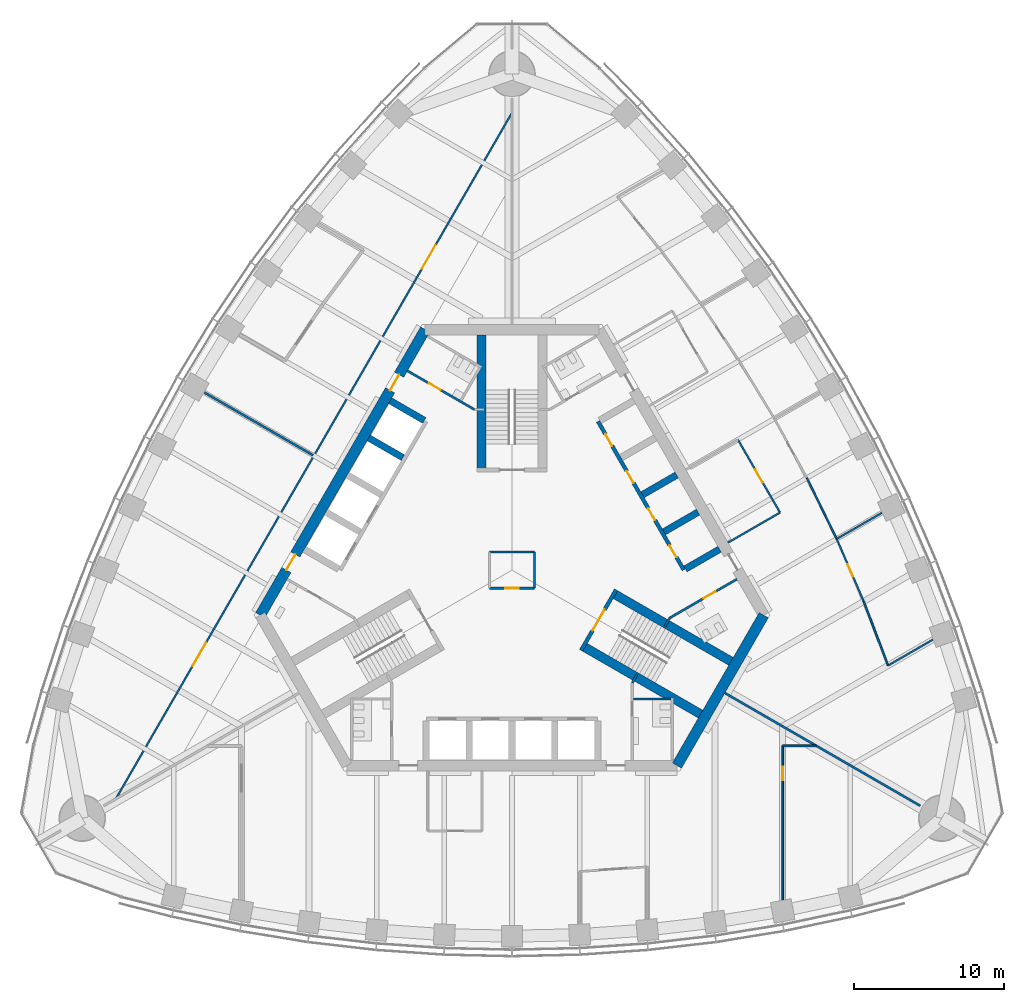
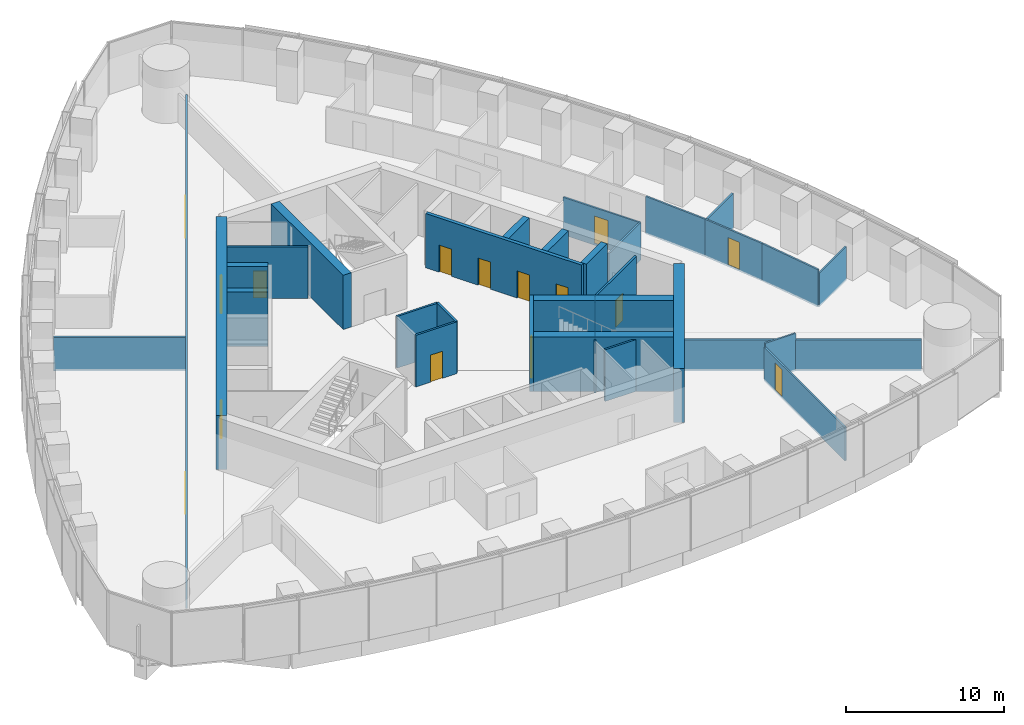
# One storey, part 12 of 19: 32 walls, 15 doors, 15 openings.
"""IFC4 building model written with IfcOpenShell, lengths in metres."""

from ifc_helpers import new_model, si_unit, direction, frame, frame_2d, origin, place, context, subcontext, project, spatial, rectangle, extrude, material, layer, layer_set, type_object, element, fill, save


model = new_model("IFC4")

# Units and contexts
model_context = context("Model", 3, precision=1e-05, world=origin(), true_north=direction((0.0, 1.0)))
body_context = subcontext(model_context, "Body", "Model", "MODEL_VIEW")
ifc_project = project(units=[si_unit("LENGTHUNIT", "METRE"), si_unit("AREAUNIT", "SQUARE_METRE"), si_unit("VOLUMEUNIT", "CUBIC_METRE"), si_unit("PLANEANGLEUNIT", "RADIAN"), si_unit("MASSUNIT", "GRAM", prefix="KILO")], contexts=[model_context])

# Site, building, storey
site_placement = place(None, origin())
site = spatial("IfcSite", under=ifc_project, at=site_placement, CompositionType="ELEMENT")
building_placement = place(site_placement, origin())
building = spatial("IfcBuilding", under=site, at=building_placement, Name="Trefoil Bronze Tower", CompositionType="ELEMENT")
storey_placement = place(building_placement, frame((0.0, 0.0, 256.89990234375)))
storey = spatial("IfcBuildingStorey", under=building, at=storey_placement, Name="L59", CompositionType="ELEMENT", Elevation=256.89990234375)

# Wall
ifc_material_1 = material(Name="Concrete B80", Category="concrete")
ifc_layer_1 = layer(ifc_material_1, 0.699951171875)
ifc_layer_set_1 = layer_set([ifc_layer_1], Name="Core wall 700")
wall_type_1 = type_object("IfcWallType", Name="Core wall 700", PredefinedType="SHEAR", material=ifc_layer_set_1)
wall_1_placement = place(storey_placement, frame((10.9697265625, -13.0, 0.0), z_axis=(0.0, 0.0, 1.0), x_axis=(0.499995765644, 0.866027848477, 0.0)))
element("IfcWall", 1, at=wall_1_placement, inside=storey, type_object=wall_type_1, Name="Core short wall 1 L59", PredefinedType="SHEAR", context=body_context, shape_type="SweptSolid", body=[
    extrude(rectangle(XDim=11.546875, YDim=0.699951171875, at=frame_2d((5.7734375, 0.0))), origin(), (0.0, 0.0, 1.0), 4.2001953125),
])

# Wall, openings, doors
wall_2_placement = place(storey_placement, frame((-5.7734375, 16.0, 0.0), z_axis=(0.0, 0.0, 1.0), x_axis=(-0.500002442456, -0.866023993627, 0.0)))
wall_2 = element("IfcWall", 2, at=wall_2_placement, inside=storey, type_object=wall_type_1, Name="Core long wall 3 L59", PredefinedType="SHEAR", context=body_context, shape_type="SweptSolid", body=[
    extrude(rectangle(XDim=21.939453125, YDim=0.699951171875, at=frame_2d((10.9697265625, 0.0))), origin(), (0.0, 0.0, 1.0), 4.2001953125),
])
opening_1_placement = place(wall_2_placement, frame((17.269775390625, 0.0, 0.0)))
opening_1 = element("IfcOpeningElement", 3, at=opening_1_placement, cuts=wall_2, Name="Opening D2", PredefinedType="OPENING", context=body_context, shape_type="SweptSolid", body=[
    extrude(rectangle(XDim=1.199951171875, YDim=2.10009765625, at=frame_2d((0.60009765625, 1.050048828125))), frame((0.0, 0.35986328125, 0.0), z_axis=(0.0, -1.0, 0.0), x_axis=(1.0, 0.0, 0.0)), (0.0, 0.0, 1.0), 0.719970703125),
])
opening_2_placement = place(wall_2_placement, frame((3.4697265625, 0.0, 0.0)))
opening_2 = element("IfcOpeningElement", 4, at=opening_2_placement, cuts=wall_2, Name="Opening D2", PredefinedType="OPENING", context=body_context, shape_type="SweptSolid", body=[
    extrude(rectangle(XDim=1.199951171875, YDim=2.10009765625, at=frame_2d((0.60009765625, 1.050048828125))), frame((0.0, 0.35986328125, 0.0), z_axis=(0.0, -1.0, 0.0), x_axis=(1.0, 0.0, 0.0)), (0.0, 0.0, 1.0), 0.719970703125),
])
ifc_material_2 = material(Name="Steel door", Category="steel")
door_type_1 = type_object("IfcDoorType", Name="Lobby door 1200", OperationType="SINGLE_SWING_RIGHT", PredefinedType="DOOR", material=ifc_material_2)
door_1_placement = place(opening_1_placement, origin())
door_1 = element("IfcDoor", 5, at=door_1_placement, inside=storey, type_object=door_type_1, Name="Lobby door F3+ L59", OperationType="SINGLE_SWING_RIGHT", OverallHeight=2.10009765625, OverallWidth=1.199951171875, PredefinedType="DOOR", context=body_context, shape_type="SweptSolid", body=[
    extrude(rectangle(XDim=1.199951171875, YDim=2.10009765625, at=frame_2d((0.60009765625, 1.050048828125))), frame((0.0, 0.02490234375, 0.0), z_axis=(0.0, -1.0, 0.0), x_axis=(1.0, 0.0, 0.0)), (0.0, 0.0, 1.0), 0.050048828125),
])
fill(opening_1, door_1)
door_2_placement = place(opening_2_placement, origin())
door_2 = element("IfcDoor", 6, at=door_2_placement, inside=storey, type_object=door_type_1, Name="Lobby door F3- L59", OperationType="SINGLE_SWING_LEFT", OverallHeight=2.10009765625, OverallWidth=1.199951171875, PredefinedType="DOOR", context=body_context, shape_type="SweptSolid", body=[
    extrude(rectangle(XDim=1.199951171875, YDim=2.10009765625, at=frame_2d((0.60009765625, 1.050048828125))), frame((0.0, 0.02490234375, 0.0), z_axis=(0.0, -1.0, 0.0), x_axis=(1.0, 0.0, 0.0)), (0.0, 0.0, 1.0), 0.050048828125),
])
fill(opening_2, door_2)

# Wall
ifc_material_3 = material(Name="Glazed partition", Category="glass")
ifc_layer_2 = layer(ifc_material_3, 0.1201171875)
ifc_layer_set_2 = layer_set([ifc_layer_2], Name="Glazed partition 120")
wall_type_2 = type_object("IfcWallType", Name="Glazed partition 120", PredefinedType="PARTITIONING", material=ifc_layer_set_2)
wall_3_placement = place(storey_placement, frame((18.0, -11.68994140625, 0.0), z_axis=(0.0, 0.0, 1.0), x_axis=(1.0, 0.0, 0.0)))
element("IfcWall", 7, at=wall_3_placement, inside=storey, type_object=wall_type_2, Name="Partition F1 L59", PredefinedType="PARTITIONING", context=body_context, shape_type="SweptSolid", body=[
    extrude(rectangle(XDim=2.230224609375, YDim=0.1201171875, at=frame_2d((1.115234375, 0.0))), origin(), (0.0, 0.0, 1.0), 2.900146484375),
])

# Wall, opening, door
wall_4_placement = place(storey_placement, frame((18.0, -11.68994140625, 0.0), z_axis=(0.0, 0.0, 1.0), x_axis=(0.0, -1.0, 0.0)))
wall_4 = element("IfcWall", 8, at=wall_4_placement, inside=storey, type_object=wall_type_2, Name="Partition F1 L59", PredefinedType="PARTITIONING", context=body_context, shape_type="SweptSolid", body=[
    extrude(rectangle(XDim=10.236572265625, YDim=0.1201171875, at=frame_2d((5.1181640625, 0.0))), origin(), (0.0, 0.0, 1.0), 2.60009765625),
])
opening_3_placement = place(wall_4_placement, frame((1.39990234375, 0.0, 0.14990234375)))
opening_3 = element("IfcOpeningElement", 9, at=opening_3_placement, cuts=wall_4, Name="Opening D8", PredefinedType="OPENING", context=body_context, shape_type="SweptSolid", body=[
    extrude(rectangle(XDim=0.89990234375, YDim=2.10009765625, at=frame_2d((0.449951171875, 1.050048828125))), frame((0.0, 0.070068359375, 0.0), z_axis=(0.0, -1.0, 0.0), x_axis=(1.0, 0.0, 0.0)), (0.0, 0.0, 1.0), 0.14013671875),
])
ifc_material_4 = material(Name="Timber door", Category="wood")
door_type_2 = type_object("IfcDoorType", Name="Office door 900", OperationType="SINGLE_SWING_LEFT", PredefinedType="DOOR", material=ifc_material_4)
door_3_placement = place(opening_3_placement, origin())
door_3 = element("IfcDoor", 10, at=door_3_placement, inside=storey, type_object=door_type_2, Name="Chairman's office door F1 L59", OperationType="SINGLE_SWING_LEFT", OverallHeight=2.10009765625, OverallWidth=0.89990234375, PredefinedType="DOOR", context=body_context, shape_type="SweptSolid", body=[
    extrude(rectangle(XDim=0.89990234375, YDim=2.10009765625, at=frame_2d((0.449951171875, 1.050048828125))), frame((0.0, 0.02490234375, 0.0), z_axis=(0.0, -1.0, 0.0), x_axis=(1.0, 0.0, 0.0)), (0.0, 0.0, 1.0), 0.050048828125),
])
fill(opening_3, door_3)

wall_5_placement = place(storey_placement, frame((17.825439453125, 3.8251953125, 0.0), z_axis=(0.0, 0.0, 1.0), x_axis=(-0.499965239061, 0.866045472092, 0.0)))
wall_5 = element("IfcWall", 11, at=wall_5_placement, inside=storey, type_object=wall_type_2, Name="Partition F2 L59", PredefinedType="PARTITIONING", context=body_context, shape_type="SweptSolid", body=[
    extrude(rectangle(XDim=5.60009765625, YDim=0.1201171875, at=frame_2d((2.800048828125, 0.0))), origin(), (0.0, 0.0, 1.0), 2.900146484375),
])
opening_4_placement = place(wall_5_placement, frame((2.300048828125, 0.0, 0.14990234375)))
opening_4 = element("IfcOpeningElement", 12, at=opening_4_placement, cuts=wall_5, Name="Opening D9", PredefinedType="OPENING", context=body_context, shape_type="SweptSolid", body=[
    extrude(rectangle(XDim=1.0, YDim=2.10009765625, at=frame_2d((0.5, 1.050048828125))), frame((0.0, 0.070068359375, 0.0), z_axis=(0.0, -1.0, 0.0), x_axis=(1.0, 0.0, 0.0)), (0.0, 0.0, 1.0), 0.14013671875),
])
ifc_material_5 = material(Name="Glazed timber door", Category="wood")
door_type_3 = type_object("IfcDoorType", Name="Meeting room door 1000", OperationType="SINGLE_SWING_LEFT", PredefinedType="DOOR", material=ifc_material_5)
door_4_placement = place(opening_4_placement, origin())
door_4 = element("IfcDoor", 13, at=door_4_placement, inside=storey, type_object=door_type_3, Name="Meeting room door F2 L59", OperationType="SINGLE_SWING_RIGHT", OverallHeight=2.10009765625, OverallWidth=1.0, PredefinedType="DOOR", context=body_context, shape_type="SweptSolid", body=[
    extrude(rectangle(XDim=1.0, YDim=2.10009765625, at=frame_2d((0.5, 1.050048828125))), frame((0.0, 0.02490234375, 0.0), z_axis=(0.0, -1.0, 0.0), x_axis=(1.0, 0.0, 0.0)), (0.0, 0.0, 1.0), 0.050048828125),
])
fill(opening_4, door_4)

# Wall
wall_6_placement = place(storey_placement, frame((14.361328125, 1.8251953125, 0.0), z_axis=(0.0, 0.0, 1.0), x_axis=(0.866026010844, 0.49999894854, 0.0)))
element("IfcWall", 14, at=wall_6_placement, inside=storey, type_object=wall_type_2, Name="Partition F2 L59", PredefinedType="PARTITIONING", context=body_context, shape_type="SweptSolid", body=[
    extrude(rectangle(XDim=4.0, YDim=0.1201171875, at=frame_2d((2.0, 0.0))), origin(), (0.0, 0.0, 1.0), 2.900146484375),
])

# Wall, opening, door
wall_7_placement = place(storey_placement, frame((23.3916015625, -2.083251953125, 0.0), z_axis=(0.0, 0.0, 1.0), x_axis=(-0.397208101111, 0.917728567939, 0.0)))
wall_7 = element("IfcWall", 15, at=wall_7_placement, inside=storey, type_object=wall_type_2, Name="Partition F2 L59", PredefinedType="PARTITIONING", context=body_context, shape_type="SweptSolid", body=[
    extrude(rectangle(XDim=4.530029296875, YDim=0.1201171875, at=frame_2d((2.26513671875, 0.0))), origin(), (0.0, 0.0, 1.0), 2.900146484375),
])
opening_5_placement = place(wall_7_placement, frame((1.800048828125, 0.0, 0.14990234375)))
opening_5 = element("IfcOpeningElement", 16, at=opening_5_placement, cuts=wall_7, Name="Opening D8", PredefinedType="OPENING", context=body_context, shape_type="SweptSolid", body=[
    extrude(rectangle(XDim=0.89990234375, YDim=2.10009765625, at=frame_2d((0.449951171875, 1.050048828125))), frame((0.0, 0.070068359375, 0.0), z_axis=(0.0, -1.0, 0.0), x_axis=(1.0, 0.0, 0.0)), (0.0, 0.0, 1.0), 0.14013671875),
])
door_5_placement = place(opening_5_placement, frame((0.89990234375, 0.0, 0.0), z_axis=(0.0, 0.0, 1.0), x_axis=(-1.0, 0.0, 0.0)))
door_5 = element("IfcDoor", 17, at=door_5_placement, inside=storey, type_object=door_type_2, Name="Executive office door F2 L59", OperationType="SINGLE_SWING_RIGHT", OverallHeight=2.10009765625, OverallWidth=0.89990234375, PredefinedType="DOOR", context=body_context, shape_type="SweptSolid", body=[
    extrude(rectangle(XDim=0.89990234375, YDim=2.10009765625, at=frame_2d((0.449951171875, 1.050048828125))), frame((0.0, 0.02490234375, 0.0), z_axis=(0.0, -1.0, 0.0), x_axis=(1.0, 0.0, 0.0)), (0.0, 0.0, 1.0), 0.050048828125),
])
fill(opening_5, door_5)

# Walls
wall_8_placement = place(storey_placement, frame((25.006591796875, -6.346923828125, 0.0), z_axis=(0.0, 0.0, 1.0), x_axis=(-0.354219967303, 0.935162132875, 0.0)))
element("IfcWall", 18, at=wall_8_placement, inside=storey, type_object=wall_type_2, Name="Partition F2 L59", PredefinedType="PARTITIONING", context=body_context, shape_type="SweptSolid", body=[
    extrude(rectangle(XDim=4.559326171875, YDim=0.1201171875, at=frame_2d((2.27978515625, 0.0))), origin(), (0.0, 0.0, 1.0), 2.900146484375),
])
wall_9_placement = place(storey_placement, frame((21.59228515625, 2.073974609375, 0.0), z_axis=(0.0, 0.0, 1.0), x_axis=(-0.439163535873, 0.898407139753, 0.0)))
element("IfcWall", 19, at=wall_9_placement, inside=storey, type_object=wall_type_2, Name="Partition F2 L59", PredefinedType="PARTITIONING", context=body_context, shape_type="SweptSolid", body=[
    extrude(rectangle(XDim=4.5107421875, YDim=0.1201171875, at=frame_2d((2.25537109375, 0.0))), origin(), (0.0, 0.0, 1.0), 2.900146484375),
])
wall_10_placement = place(storey_placement, frame((25.006591796875, -6.346923828125, 0.0), z_axis=(0.0, 0.0, 1.0), x_axis=(0.866053365281, 0.49995156614, 0.0)))
element("IfcWall", 20, at=wall_10_placement, inside=storey, type_object=wall_type_2, Name="Partition F2 L59", PredefinedType="PARTITIONING", context=body_context, shape_type="SweptSolid", body=[
    extrude(rectangle(XDim=3.443603515625, YDim=0.1201171875, at=frame_2d((1.7216796875, 0.0))), origin(), (0.0, 0.0, 1.0), 2.60009765625),
])
wall_11_placement = place(storey_placement, frame((21.59228515625, 2.073974609375, 0.0), z_axis=(0.0, 0.0, 1.0), x_axis=(0.866035335986, 0.499982796528, 0.0)))
element("IfcWall", 21, at=wall_11_placement, inside=storey, type_object=wall_type_2, Name="Partition F2 L59", PredefinedType="PARTITIONING", context=body_context, shape_type="SweptSolid", body=[
    extrude(rectangle(XDim=3.46337890625, YDim=0.1201171875, at=frame_2d((1.731689453125, 0.0))), origin(), (0.0, 0.0, 1.0), 2.800048828125),
])

# Wall, openings, doors
wall_12_placement = place(storey_placement, frame((-0.016357421875, 30.3916015625, 0.0), z_axis=(0.0, 0.0, 1.0), x_axis=(-0.500000626146, -0.866025042278, 0.0)))
wall_12 = element("IfcWall", 22, at=wall_12_placement, inside=storey, type_object=wall_type_2, Name="Partition F3 L59", PredefinedType="PARTITIONING", context=body_context, shape_type="SweptSolid", body=[
    extrude(rectangle(XDim=52.62353515625, YDim=0.1201171875, at=frame_2d((26.311767578125, 0.0))), origin(), (0.0, 0.0, 1.0), 2.900146484375),
])
opening_6_placement = place(wall_12_placement, frame((10.14990234375, 0.0, 0.14990234375)))
opening_6 = element("IfcOpeningElement", 23, at=opening_6_placement, cuts=wall_12, Name="Opening D10", PredefinedType="OPENING", context=body_context, shape_type="SweptSolid", body=[
    extrude(rectangle(XDim=1.800048828125, YDim=2.10009765625, at=frame_2d((0.89990234375, 1.050048828125))), frame((0.0, 0.070068359375, 0.0), z_axis=(0.0, -1.0, 0.0), x_axis=(1.0, 0.0, 0.0)), (0.0, 0.0, 1.0), 0.14013671875),
])
opening_7_placement = place(wall_12_placement, frame((40.64990234375, 0.0, 0.14990234375)))
opening_7 = element("IfcOpeningElement", 24, at=opening_7_placement, cuts=wall_12, Name="Opening D10", PredefinedType="OPENING", context=body_context, shape_type="SweptSolid", body=[
    extrude(rectangle(XDim=1.800048828125, YDim=2.10009765625, at=frame_2d((0.89990234375, 1.050048828125))), frame((0.0, 0.070068359375, 0.0), z_axis=(0.0, -1.0, 0.0), x_axis=(1.0, 0.0, 0.0)), (0.0, 0.0, 1.0), 0.14013671875),
])
ifc_material_6 = material(Name="Timber door", Category="wood")
door_type_4 = type_object("IfcDoorType", Name="Double door 1800", OperationType="DOUBLE_DOOR_SINGLE_SWING", PredefinedType="DOOR", material=ifc_material_6)
door_6_placement = place(opening_6_placement, frame((1.800048828125, 0.0, 0.0), z_axis=(0.0, 0.0, 1.0), x_axis=(-1.0, 0.0, 0.0)))
door_6 = element("IfcDoor", 25, at=door_6_placement, inside=storey, type_object=door_type_4, Name="Corridor door F3 L59", OperationType="DOUBLE_DOOR_SINGLE_SWING", OverallHeight=2.10009765625, OverallWidth=1.800048828125, PredefinedType="DOOR", context=body_context, shape_type="SweptSolid", body=[
    extrude(rectangle(XDim=1.800048828125, YDim=2.10009765625, at=frame_2d((0.89990234375, 1.050048828125))), frame((0.0, 0.02490234375, 0.0), z_axis=(0.0, -1.0, 0.0), x_axis=(1.0, 0.0, 0.0)), (0.0, 0.0, 1.0), 0.050048828125),
])
fill(opening_6, door_6)
door_7_placement = place(opening_7_placement, frame((1.800048828125, 0.0, 0.0), z_axis=(0.0, 0.0, 1.0), x_axis=(-1.0, 0.0, 0.0)))
door_7 = element("IfcDoor", 26, at=door_7_placement, inside=storey, type_object=door_type_4, Name="Corridor door F3 L59", OperationType="DOUBLE_DOOR_SINGLE_SWING", OverallHeight=2.10009765625, OverallWidth=1.800048828125, PredefinedType="DOOR", context=body_context, shape_type="SweptSolid", body=[
    extrude(rectangle(XDim=1.800048828125, YDim=2.10009765625, at=frame_2d((0.89990234375, 1.050048828125))), frame((0.0, 0.02490234375, 0.0), z_axis=(0.0, -1.0, 0.0), x_axis=(1.0, 0.0, 0.0)), (0.0, 0.0, 1.0), 0.050048828125),
])
fill(opening_7, door_7)

# Walls
ifc_material_7 = material(Name="Concrete B80", Category="concrete")
ifc_layer_3 = layer(ifc_material_7, 0.449951171875)
ifc_layer_set_3 = layer_set([ifc_layer_3], Name="Outrigger shaft wall 450")
wall_type_3 = type_object("IfcWallType", Name="Outrigger shaft wall 450", PredefinedType="SHEAR", material=ifc_layer_set_3)
for number, where, z_axis, x_axis, name in (
    (27, (11.531982421875, 0.076171875, 0.0), (0.0, 0.0, 1.0), (0.866013657776, 0.500020344131, 0.0), "Lift shaft side wall B0 L59"),
    (28, (10.10693359375, 2.54443359375, 0.0), (0.0, 0.0, 1.0), (0.866013657776, 0.500020344131, 0.0), "Lift shaft side wall B1 L59"),
    (29, (8.681884765625, 5.012451171875, 0.0), (0.0, 0.0, 1.0), (0.866036909293, 0.499980071345, 0.0), "Lift shaft side wall B2 L59"),
    (30, (-5.831787109375, 9.94873046875, 0.0), (0.0, 0.0, 1.0), (-0.866036909293, 0.499980071345, 0.0), "Lift shaft side wall C0 L59"),
    (31, (-7.2568359375, 7.480712890625, 0.0), (0.0, 0.0, 1.0), (-0.866036909293, 0.499980071345, 0.0), "Lift shaft side wall C1 L59"),
):
    element("IfcWall", number, at=place(storey_placement, frame(where, z_axis=z_axis, x_axis=x_axis)), inside=storey, type_object=wall_type_3, Name=name, PredefinedType="SHEAR", context=body_context, shape_type="SweptSolid", body=[
        extrude(rectangle(XDim=2.625, YDim=0.449951171875, at=frame_2d((1.3125, 0.0))), origin(), (0.0, 0.0, 1.0), 4.2001953125),
    ])

# Wall, opening, door
ifc_material_8 = material(Name="Gypsum board on steel studs", Category="steel")
ifc_layer_4 = layer(ifc_material_8, 0.14990234375)
ifc_layer_set_4 = layer_set([ifc_layer_4], Name="Partition 150")
wall_type_4 = type_object("IfcWallType", Name="Partition 150", PredefinedType="PARTITIONING", material=ifc_layer_set_4)
wall_13_placement = place(storey_placement, frame((10.4951171875, -3.17822265625, 0.0), z_axis=(0.0, 0.0, 1.0), x_axis=(0.866037967349, 0.499978238636, 0.0)))
wall_13 = element("IfcWall", 32, at=wall_13_placement, inside=storey, type_object=wall_type_4, Name="Passage wall F2- L59", PredefinedType="PARTITIONING", context=body_context, shape_type="SweptSolid", body=[
    extrude(rectangle(XDim=5.150146484375, YDim=0.14990234375, at=frame_2d((2.5751953125, 0.0))), origin(), (0.0, 0.0, 1.0), 4.0),
])
opening_8_placement = place(wall_13_placement, frame((2.60009765625, 0.0, 0.0)))
opening_8 = element("IfcOpeningElement", 33, at=opening_8_placement, cuts=wall_13, Name="Opening D3", PredefinedType="OPENING", context=body_context, shape_type="SweptSolid", body=[
    extrude(rectangle(XDim=0.89990234375, YDim=2.10009765625, at=frame_2d((0.449951171875, 1.050048828125))), frame((0.0, 0.0849609375, 0.0), z_axis=(0.0, -1.0, 0.0), x_axis=(1.0, 0.0, 0.0)), (0.0, 0.0, 1.0), 0.169921875),
])
ifc_material_9 = material(Name="Timber door", Category="wood")
door_type_5 = type_object("IfcDoorType", Name="WC door 900", OperationType="SINGLE_SWING_LEFT", PredefinedType="DOOR", material=ifc_material_9)
door_8_placement = place(opening_8_placement, frame((0.89990234375, 0.0, 0.0), z_axis=(0.0, 0.0, 1.0), x_axis=(-1.0, 0.0, 0.0)))
door_8 = element("IfcDoor", 34, at=door_8_placement, inside=storey, type_object=door_type_5, Name="WC (women) door L59", OperationType="SINGLE_SWING_LEFT", OverallHeight=2.10009765625, OverallWidth=0.89990234375, PredefinedType="DOOR", context=body_context, shape_type="SweptSolid", body=[
    extrude(rectangle(XDim=0.89990234375, YDim=2.10009765625, at=frame_2d((0.449951171875, 1.050048828125))), frame((0.0, 0.02490234375, 0.0), z_axis=(0.0, -1.0, 0.0), x_axis=(1.0, 0.0, 0.0)), (0.0, 0.0, 1.0), 0.050048828125),
])
fill(opening_8, door_8)

wall_14_placement = place(storey_placement, frame((-2.4951171875, 10.67822265625, 0.0), z_axis=(0.0, 0.0, 1.0), x_axis=(-0.866037967349, 0.499978238636, 0.0)))
wall_14 = element("IfcWall", 35, at=wall_14_placement, inside=storey, type_object=wall_type_4, Name="Passage wall F3- L59", PredefinedType="PARTITIONING", context=body_context, shape_type="SweptSolid", body=[
    extrude(rectangle(XDim=5.150146484375, YDim=0.14990234375, at=frame_2d((2.5751953125, 0.0))), origin(), (0.0, 0.0, 1.0), 4.0),
])
opening_9_placement = place(wall_14_placement, frame((2.60009765625, 0.0, 0.0)))
opening_9 = element("IfcOpeningElement", 36, at=opening_9_placement, cuts=wall_14, Name="Opening D3", PredefinedType="OPENING", context=body_context, shape_type="SweptSolid", body=[
    extrude(rectangle(XDim=0.89990234375, YDim=2.10009765625, at=frame_2d((0.449951171875, 1.050048828125))), frame((0.0, 0.0849609375, 0.0), z_axis=(0.0, -1.0, 0.0), x_axis=(1.0, 0.0, 0.0)), (0.0, 0.0, 1.0), 0.169921875),
])
door_9_placement = place(opening_9_placement, frame((0.89990234375, 0.0, 0.0), z_axis=(0.0, 0.0, 1.0), x_axis=(-1.0, 0.0, 0.0)))
door_9 = element("IfcDoor", 37, at=door_9_placement, inside=storey, type_object=door_type_5, Name="WC (women) door L59", OperationType="SINGLE_SWING_RIGHT", OverallHeight=2.10009765625, OverallWidth=0.89990234375, PredefinedType="DOOR", context=body_context, shape_type="SweptSolid", body=[
    extrude(rectangle(XDim=0.89990234375, YDim=2.10009765625, at=frame_2d((0.449951171875, 1.050048828125))), frame((0.0, 0.02490234375, 0.0), z_axis=(0.0, -1.0, 0.0), x_axis=(1.0, 0.0, 0.0)), (0.0, 0.0, 1.0), 0.050048828125),
])
fill(opening_9, door_9)

# Walls
for number, where, z_axis, x_axis, name in (
    (38, (8.0, -7.5, 0.0), (0.0, 0.0, 1.0), (0.499842556608, 0.866116284689, 0.0), "WC wall ST1-1 L59"),
    (39, (10.4951171875, -3.17822265625, 0.0), (0.0, 0.0, 1.0), (-0.499842556608, -0.866116284689, 0.0), "WC wall ST1+1 L59"),
):
    element("IfcWall", number, at=place(storey_placement, frame(where, z_axis=z_axis, x_axis=x_axis)), inside=storey, type_object=wall_type_4, Name=name, PredefinedType="PARTITIONING", context=body_context, shape_type="SweptSolid", body=[
        extrude(rectangle(XDim=0.645263671875, YDim=0.14990234375, at=frame_2d((0.32275390625, 0.0))), origin(), (0.0, 0.0, 1.0), 4.0),
    ])
wall_15_placement = place(storey_placement, frame((8.074951171875, -8.574951171875, 0.0), z_axis=(0.0, 0.0, 1.0), x_axis=(1.0, 0.0, 0.0)))
element("IfcWall", 40, at=wall_15_placement, inside=storey, type_object=wall_type_4, Name="WC partition WC (men) L59", PredefinedType="PARTITIONING", context=body_context, shape_type="SweptSolid", body=[
    extrude(rectangle(XDim=2.510009765625, YDim=0.14990234375, at=frame_2d((1.2548828125, 0.0))), origin(), (0.0, 0.0, 1.0), 4.0),
])
ifc_material_10 = material(Name="Gypsum board on steel studs", Category="steel")
ifc_layer_5 = layer(ifc_material_10, 0.14990234375)
ifc_layer_set_5 = layer_set([ifc_layer_5], Name="Party wall 150")
wall_type_5 = type_object("IfcWallType", Name="Party wall 150", PredefinedType="PARTITIONING", material=ifc_layer_set_5)
wall_16_placement = place(storey_placement, frame((14.159423828125, -8.175048828125, 0.0), z_axis=(0.0, 0.0, 1.0), x_axis=(0.866027028085, -0.499997186618, 0.0)))
element("IfcWall", 41, at=wall_16_placement, inside=storey, type_object=wall_type_5, Name="Party wall K1 L59", PredefinedType="PARTITIONING", context=body_context, shape_type="SweptSolid", body=[
    extrude(rectangle(XDim=15.0, YDim=0.14990234375, at=frame_2d((7.5, 0.0))), origin(), (0.0, 0.0, 1.0), 2.400146484375),
])
wall_17_placement = place(storey_placement, frame((-13.22412109375, 7.635009765625, 0.0), z_axis=(0.0, 0.0, 1.0), x_axis=(-0.866028817718, 0.499994086848, 0.0)))
element("IfcWall", 42, at=wall_17_placement, inside=storey, type_object=wall_type_5, Name="Demising wall F3 L59", PredefinedType="PARTITIONING", context=body_context, shape_type="SweptSolid", body=[
    extrude(rectangle(XDim=8.3505859375, YDim=0.14990234375, at=frame_2d((4.17529296875, 0.0))), origin(), (0.0, 0.0, 1.0), 2.60009765625),
])

# Wall, opening, door
ifc_material_11 = material(Name="Gypsum board on steel studs", Category="steel")
ifc_layer_6 = layer(ifc_material_11, 0.14990234375)
ifc_layer_set_6 = layer_set([ifc_layer_6], Name="Riser wall 150")
wall_type_6 = type_object("IfcWallType", Name="Riser wall 150", PredefinedType="PARTITIONING", material=ifc_layer_set_6)
wall_18_placement = place(storey_placement, frame((-1.5, -1.199951171875, 0.0), z_axis=(0.0, 0.0, 1.0), x_axis=(1.0, 0.0, 0.0)))
wall_18 = element("IfcWall", 43, at=wall_18_placement, inside=storey, type_object=wall_type_6, Name="Riser wall L59", PredefinedType="PARTITIONING", context=body_context, shape_type="SweptSolid", body=[
    extrude(rectangle(XDim=3.0, YDim=0.14990234375, at=frame_2d((1.5, 0.0))), origin(), (0.0, 0.0, 1.0), 4.0),
])
opening_10_placement = place(wall_18_placement, frame((1.050048828125, 0.0, 0.0)))
opening_10 = element("IfcOpeningElement", 44, at=opening_10_placement, cuts=wall_18, Name="Opening D4", PredefinedType="OPENING", context=body_context, shape_type="SweptSolid", body=[
    extrude(rectangle(XDim=0.89990234375, YDim=2.10009765625, at=frame_2d((0.449951171875, 1.050048828125))), frame((0.0, 0.0849609375, 0.0), z_axis=(0.0, -1.0, 0.0), x_axis=(1.0, 0.0, 0.0)), (0.0, 0.0, 1.0), 0.169921875),
])
ifc_material_12 = material(Name="Steel door", Category="steel")
door_type_6 = type_object("IfcDoorType", Name="Riser door 900", OperationType="SINGLE_SWING_LEFT", PredefinedType="DOOR", material=ifc_material_12)
door_10_placement = place(opening_10_placement, frame((0.89990234375, 0.0, 0.0), z_axis=(0.0, 0.0, 1.0), x_axis=(-1.0, 0.0, 0.0)))
door_10 = element("IfcDoor", 45, at=door_10_placement, inside=storey, type_object=door_type_6, Name="Riser door L59", OperationType="SINGLE_SWING_LEFT", OverallHeight=2.10009765625, OverallWidth=0.89990234375, PredefinedType="DOOR", context=body_context, shape_type="SweptSolid", body=[
    extrude(rectangle(XDim=0.89990234375, YDim=2.10009765625, at=frame_2d((0.449951171875, 1.050048828125))), frame((0.0, 0.02490234375, 0.0), z_axis=(0.0, -1.0, 0.0), x_axis=(1.0, 0.0, 0.0)), (0.0, 0.0, 1.0), 0.050048828125),
])
fill(opening_10, door_10)

# Walls
wall_19_placement = place(storey_placement, frame((1.5, -1.199951171875, 0.0), z_axis=(0.0, 0.0, 1.0), x_axis=(0.0, 1.0, 0.0)))
element("IfcWall", 46, at=wall_19_placement, inside=storey, type_object=wall_type_6, Name="Riser wall L59", PredefinedType="PARTITIONING", context=body_context, shape_type="SweptSolid", body=[
    extrude(rectangle(XDim=2.39990234375, YDim=0.14990234375, at=frame_2d((1.199951171875, 0.0))), origin(), (0.0, 0.0, 1.0), 4.0),
])
wall_20_placement = place(storey_placement, frame((1.5, 1.199951171875, 0.0), z_axis=(0.0, 0.0, 1.0), x_axis=(-1.0, 0.0, 0.0)))
element("IfcWall", 47, at=wall_20_placement, inside=storey, type_object=wall_type_6, Name="Riser wall L59", PredefinedType="PARTITIONING", context=body_context, shape_type="SweptSolid", body=[
    extrude(rectangle(XDim=3.0, YDim=0.14990234375, at=frame_2d((1.5, 0.0))), origin(), (0.0, 0.0, 1.0), 4.0),
])

# Wall, openings, doors
ifc_material_13 = material(Name="Concrete B80", Category="concrete")
ifc_layer_7 = layer(ifc_material_13, 0.25)
ifc_layer_set_7 = layer_set([ifc_layer_7], Name="Shaft wall 250")
wall_type_7 = type_object("IfcWallType", Name="Shaft wall 250", PredefinedType="SHEAR", material=ifc_layer_set_7)
wall_21_placement = place(storey_placement, frame((11.423583984375, 0.013671875, 0.0), z_axis=(0.0, 0.0, 1.0), x_axis=(-0.500001763848, 0.866024385424, 0.0)))
wall_21 = element("IfcWall", 48, at=wall_21_placement, inside=storey, type_object=wall_type_7, Name="Lift shaft front wall B L59", PredefinedType="SHEAR", context=body_context, shape_type="SweptSolid", body=[
    extrude(rectangle(XDim=11.39990234375, YDim=0.25, at=frame_2d((5.699951171875, 0.0))), origin(), (0.0, 0.0, 1.0), 4.2001953125),
])
opening_11_placement = place(wall_21_placement, frame((0.97509765625, 0.0, 0.0)))
opening_11 = element("IfcOpeningElement", 49, at=opening_11_placement, cuts=wall_21, Name="Opening D12", PredefinedType="OPENING", context=body_context, shape_type="SweptSolid", body=[
    extrude(rectangle(XDim=0.89990234375, YDim=2.10009765625, at=frame_2d((0.449951171875, 1.050048828125))), frame((0.0, 0.135009765625, 0.0), z_axis=(0.0, -1.0, 0.0), x_axis=(1.0, 0.0, 0.0)), (0.0, 0.0, 1.0), 0.27001953125),
])
opening_12_placement = place(wall_21_placement, frame((3.824951171875, 0.0, 0.0)))
opening_12 = element("IfcOpeningElement", 50, at=opening_12_placement, cuts=wall_21, Name="Opening D12", PredefinedType="OPENING", context=body_context, shape_type="SweptSolid", body=[
    extrude(rectangle(XDim=0.89990234375, YDim=2.10009765625, at=frame_2d((0.449951171875, 1.050048828125))), frame((0.0, 0.135009765625, 0.0), z_axis=(0.0, -1.0, 0.0), x_axis=(1.0, 0.0, 0.0)), (0.0, 0.0, 1.0), 0.27001953125),
])
opening_13_placement = place(wall_21_placement, frame((6.675048828125, 0.0, 0.0)))
opening_13 = element("IfcOpeningElement", 51, at=opening_13_placement, cuts=wall_21, Name="Opening D12", PredefinedType="OPENING", context=body_context, shape_type="SweptSolid", body=[
    extrude(rectangle(XDim=0.89990234375, YDim=2.10009765625, at=frame_2d((0.449951171875, 1.050048828125))), frame((0.0, 0.135009765625, 0.0), z_axis=(0.0, -1.0, 0.0), x_axis=(1.0, 0.0, 0.0)), (0.0, 0.0, 1.0), 0.27001953125),
])
opening_14_placement = place(wall_21_placement, frame((9.52490234375, 0.0, 0.0)))
opening_14 = element("IfcOpeningElement", 52, at=opening_14_placement, cuts=wall_21, Name="Opening D12", PredefinedType="OPENING", context=body_context, shape_type="SweptSolid", body=[
    extrude(rectangle(XDim=0.89990234375, YDim=2.10009765625, at=frame_2d((0.449951171875, 1.050048828125))), frame((0.0, 0.135009765625, 0.0), z_axis=(0.0, -1.0, 0.0), x_axis=(1.0, 0.0, 0.0)), (0.0, 0.0, 1.0), 0.27001953125),
])
ifc_material_14 = material(Name="Steel door", Category="steel")
door_type_7 = type_object("IfcDoorType", Name="Shaft room door 900", OperationType="SINGLE_SWING_LEFT", PredefinedType="DOOR", material=ifc_material_14)
door_11_placement = place(opening_11_placement, frame((0.89990234375, 0.0, 0.0), z_axis=(0.0, 0.0, 1.0), x_axis=(-1.0, 0.0, 0.0)))
door_11 = element("IfcDoor", 53, at=door_11_placement, inside=storey, type_object=door_type_7, Name="Shaft room door B1 L59", OperationType="SINGLE_SWING_LEFT", OverallHeight=2.10009765625, OverallWidth=0.89990234375, PredefinedType="DOOR", context=body_context, shape_type="SweptSolid", body=[
    extrude(rectangle(XDim=0.89990234375, YDim=2.10009765625, at=frame_2d((0.449951171875, 1.050048828125))), frame((0.0, 0.02490234375, 0.0), z_axis=(0.0, -1.0, 0.0), x_axis=(1.0, 0.0, 0.0)), (0.0, 0.0, 1.0), 0.050048828125),
])
fill(opening_11, door_11)
door_12_placement = place(opening_12_placement, frame((0.89990234375, 0.0, 0.0), z_axis=(0.0, 0.0, 1.0), x_axis=(-1.0, 0.0, 0.0)))
door_12 = element("IfcDoor", 54, at=door_12_placement, inside=storey, type_object=door_type_7, Name="Shaft room door B2 L59", OperationType="SINGLE_SWING_RIGHT", OverallHeight=2.10009765625, OverallWidth=0.89990234375, PredefinedType="DOOR", context=body_context, shape_type="SweptSolid", body=[
    extrude(rectangle(XDim=0.89990234375, YDim=2.10009765625, at=frame_2d((0.449951171875, 1.050048828125))), frame((0.0, 0.02490234375, 0.0), z_axis=(0.0, -1.0, 0.0), x_axis=(1.0, 0.0, 0.0)), (0.0, 0.0, 1.0), 0.050048828125),
])
fill(opening_12, door_12)
door_13_placement = place(opening_13_placement, frame((0.89990234375, 0.0, 0.0), z_axis=(0.0, 0.0, 1.0), x_axis=(-1.0, 0.0, 0.0)))
door_13 = element("IfcDoor", 55, at=door_13_placement, inside=storey, type_object=door_type_7, Name="Shaft room door B3 L59", OperationType="SINGLE_SWING_RIGHT", OverallHeight=2.10009765625, OverallWidth=0.89990234375, PredefinedType="DOOR", context=body_context, shape_type="SweptSolid", body=[
    extrude(rectangle(XDim=0.89990234375, YDim=2.10009765625, at=frame_2d((0.449951171875, 1.050048828125))), frame((0.0, 0.02490234375, 0.0), z_axis=(0.0, -1.0, 0.0), x_axis=(1.0, 0.0, 0.0)), (0.0, 0.0, 1.0), 0.050048828125),
])
fill(opening_13, door_13)
door_14_placement = place(opening_14_placement, frame((0.89990234375, 0.0, 0.0), z_axis=(0.0, 0.0, 1.0), x_axis=(-1.0, 0.0, 0.0)))
door_14 = element("IfcDoor", 56, at=door_14_placement, inside=storey, type_object=door_type_7, Name="Shaft room door B4 L59", OperationType="SINGLE_SWING_RIGHT", OverallHeight=2.10009765625, OverallWidth=0.89990234375, PredefinedType="DOOR", context=body_context, shape_type="SweptSolid", body=[
    extrude(rectangle(XDim=0.89990234375, YDim=2.10009765625, at=frame_2d((0.449951171875, 1.050048828125))), frame((0.0, 0.02490234375, 0.0), z_axis=(0.0, -1.0, 0.0), x_axis=(1.0, 0.0, 0.0)), (0.0, 0.0, 1.0), 0.050048828125),
])
fill(opening_14, door_14)

# Wall, opening, door
wall_22_placement = place(storey_placement, frame((4.5966796875, -5.338623046875, 0.0), z_axis=(0.0, 0.0, 1.0), x_axis=(0.499984536904, 0.866034331223, 0.0)))
wall_22 = element("IfcWall", 57, at=wall_22_placement, inside=storey, type_object=wall_type_7, Name="Stair end wall ST1 L59", PredefinedType="SHEAR", context=body_context, shape_type="SweptSolid", body=[
    extrude(rectangle(XDim=4.650146484375, YDim=0.25, at=frame_2d((2.3251953125, 0.0))), origin(), (0.0, 0.0, 1.0), 4.2001953125),
])
opening_15_placement = place(wall_22_placement, frame((1.52490234375, 0.0, 0.0)))
opening_15 = element("IfcOpeningElement", 58, at=opening_15_placement, cuts=wall_22, Name="Opening D1", PredefinedType="OPENING", context=body_context, shape_type="SweptSolid", body=[
    extrude(rectangle(XDim=1.60009765625, YDim=2.10009765625, at=frame_2d((0.800048828125, 1.050048828125))), frame((0.0, 0.135009765625, 0.0), z_axis=(0.0, -1.0, 0.0), x_axis=(1.0, 0.0, 0.0)), (0.0, 0.0, 1.0), 0.27001953125),
])
ifc_material_15 = material(Name="Steel door", Category="steel")
door_type_8 = type_object("IfcDoorType", Name="Stair door 1600", OperationType="DOUBLE_DOOR_SINGLE_SWING", PredefinedType="DOOR", material=ifc_material_15)
door_15_placement = place(opening_15_placement, frame((1.60009765625, 0.0, 0.0), z_axis=(0.0, 0.0, 1.0), x_axis=(-1.0, 0.0, 0.0)))
door_15 = element("IfcDoor", 59, at=door_15_placement, inside=storey, type_object=door_type_8, Name="Stair door ST1 L59", OperationType="DOUBLE_DOOR_SINGLE_SWING", OverallHeight=2.10009765625, OverallWidth=1.60009765625, PredefinedType="DOOR", context=body_context, shape_type="SweptSolid", body=[
    extrude(rectangle(XDim=1.60009765625, YDim=2.10009765625, at=frame_2d((0.800048828125, 1.050048828125))), frame((0.0, 0.02490234375, 0.0), z_axis=(0.0, -1.0, 0.0), x_axis=(1.0, 0.0, 0.0)), (0.0, 0.0, 1.0), 0.050048828125),
])
fill(opening_15, door_15)

# Walls
ifc_material_16 = material(Name="Concrete B80", Category="concrete")
ifc_layer_8 = layer(ifc_material_16, 0.60009765625)
ifc_layer_set_8 = layer_set([ifc_layer_8], Name="Stair wall 600")
wall_type_8 = type_object("IfcWallType", Name="Stair wall 600", PredefinedType="SHEAR", material=ifc_layer_set_8)
for number, where, z_axis, x_axis, name in (
    (60, (4.638427734375, -5.01611328125, 0.0), (0.0, 0.0, 1.0), (0.866021621257, -0.500006551472, 0.0), "Stair wall ST1 L59"),
    (61, (6.663330078125, -1.5087890625, 0.0), (0.0, 0.0, 1.0), (0.866028310072, -0.499994966129, 0.0), "Stair wall ST1 L59"),
    (62, (-2.02490234375, 6.52490234375, 0.0), (0.0, 0.0, 1.0), (0.0, 1.0, 0.0), "Stair wall ST2 L59"),
):
    element("IfcWall", number, at=place(storey_placement, frame(where, z_axis=z_axis, x_axis=x_axis)), inside=storey, type_object=wall_type_8, Name=name, PredefinedType="SHEAR", context=body_context, shape_type="SweptSolid", body=[
        extrude(rectangle(XDim=9.125, YDim=0.60009765625, at=frame_2d((4.5625, 0.0))), origin(), (0.0, 0.0, 1.0), 4.2001953125),
    ])

save(model, "model.ifc")
